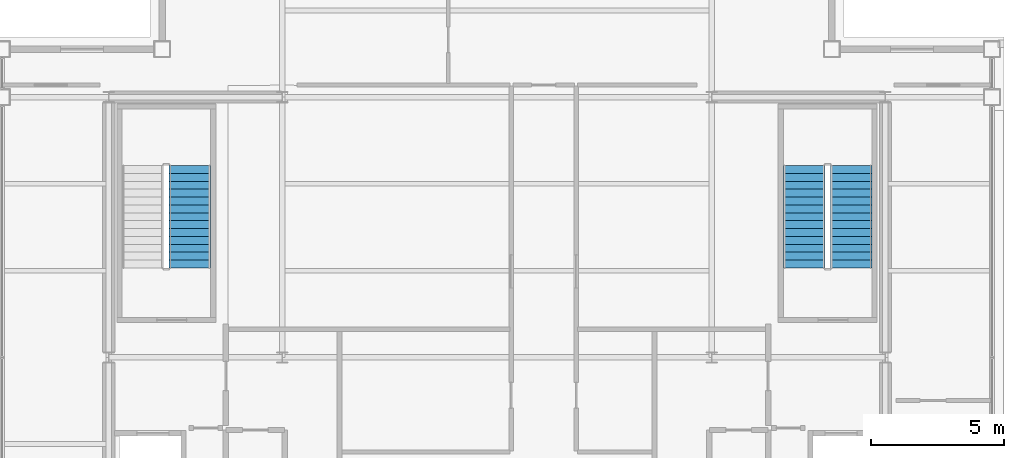
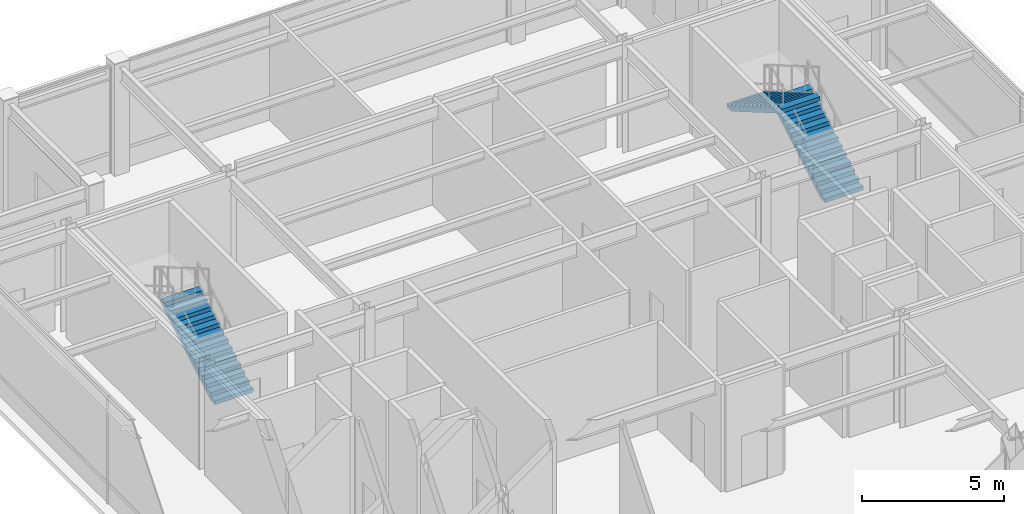
# One storey, part 20 of 21: 3 stair flights, 2 elements without a shape of their own.
"""IFC4 building model written with IfcOpenShell, lengths in metres."""

from ifc_helpers import new_model, si_unit, direction, frame, origin, place, context, subcontext, project, spatial, polyline, outline, extrude, material, type_object, element, aggregate, save


model = new_model("IFC4")

# Units and contexts
model_context = context("Model", 3, precision=1e-05, world=origin(), true_north=direction((0.0, 1.0)))
body_context = subcontext(model_context, "Body", "Model", "MODEL_VIEW")
ifc_project = project(units=[si_unit("LENGTHUNIT", "METRE"), si_unit("AREAUNIT", "SQUARE_METRE"), si_unit("VOLUMEUNIT", "CUBIC_METRE"), si_unit("PLANEANGLEUNIT", "RADIAN"), si_unit("MASSUNIT", "GRAM", prefix="KILO")], contexts=[model_context])

# Site, building, storey
site_placement = place(None, origin())
site = spatial("IfcSite", under=ifc_project, at=site_placement, CompositionType="ELEMENT")
building_placement = place(site_placement, origin())
building = spatial("IfcBuilding", under=site, at=building_placement, Name="Brelmoor Portico Tower", CompositionType="ELEMENT")
storey_placement = place(building_placement, frame((0.0, 0.0, 284.39990234375)))
storey = spatial("IfcBuildingStorey", under=building, at=storey_placement, Name="L75", CompositionType="ELEMENT", Elevation=284.39990234375)

# Stair, stair flight
ifc_material = material(Name="Concrete C40", Category="concrete")
stair_type_1 = type_object("IfcStairType", Name="ST-CORE-W", PredefinedType="HALF_TURN_STAIR", material=ifc_material)
stair_1_placement = place(storey_placement, origin())
stair_1 = element("IfcStair", 1, at=stair_1_placement, inside=storey, type_object=stair_type_1, Name="L75 Protected Core Exit Stair ST-W", PredefinedType="HALF_TURN_STAIR")
stair_flight_type = type_object("IfcStairFlightType", Name="SF-CORE-1850", PredefinedType="STRAIGHT", material=ifc_material)
stair_flight_1_placement = place(storey_placement, frame((-11.510009765625, 3.35009765625, 0.0), z_axis=(0.0, 0.0, 1.0), x_axis=(0.0, 1.0, 0.0)))
stair_flight_1 = element("IfcStairFlight", 2, at=stair_flight_1_placement, type_object=stair_flight_type, Name="ST-W flight 1", NumberOfRisers=14, NumberOfTreads=13, PredefinedType="STRAIGHT", RiserHeight=0.171428571, TreadLength=0.295, context=body_context, shape_type="SweptSolid", body=[
    extrude(outline(polyline([(0.0, 0.0), (0.0, 0.17138671875), (0.294921875, 0.17138671875), (0.294921875, 0.3427734375), (0.590087890625, 0.3427734375), (0.590087890625, 0.514404296875), (0.885009765625, 0.514404296875), (0.885009765625, 0.685791015625), (1.179931640625, 0.685791015625), (1.179931640625, 0.857177734375), (1.47509765625, 0.857177734375), (1.47509765625, 1.028564453125), (1.77001953125, 1.028564453125), (1.77001953125, 1.199951171875), (2.06494140625, 1.199951171875), (2.06494140625, 1.371337890625), (2.360107421875, 1.371337890625), (2.360107421875, 1.54296875), (2.655029296875, 1.54296875), (2.655029296875, 1.71435546875), (2.949951171875, 1.71435546875), (2.949951171875, 1.8857421875), (3.2451171875, 1.8857421875), (3.2451171875, 2.05712890625), (3.5400390625, 2.05712890625), (3.5400390625, 2.228515625), (3.8349609375, 2.228515625), (3.8349609375, 2.39990234375), (3.8349609375, 2.05517578125), (0.29833984375, 0.0), (0.0, 0.0)])), frame((0.0, 0.780029296875, 0.0), z_axis=(0.0, -1.0, 0.0), x_axis=(1.0, 0.0, 0.0)), (0.0, 0.0, 1.0), 1.56005859375),
])
aggregate(stair_1, [stair_flight_1])

# Stair, stair flights
stair_type_2 = type_object("IfcStairType", Name="ST-CORE-E", PredefinedType="HALF_TURN_STAIR", material=ifc_material)
stair_2_placement = place(storey_placement, origin())
stair_2 = element("IfcStair", 3, at=stair_2_placement, inside=storey, type_object=stair_type_2, Name="L75 Protected Core Exit Stair ST-E", PredefinedType="HALF_TURN_STAIR")
stair_flight_2_placement = place(storey_placement, frame((13.27001953125, 3.35009765625, 0.0), z_axis=(0.0, 0.0, 1.0), x_axis=(0.0, 1.0, 0.0)))
stair_flight_2 = element("IfcStairFlight", 4, at=stair_flight_2_placement, type_object=stair_flight_type, Name="ST-E flight 1", NumberOfRisers=14, NumberOfTreads=13, PredefinedType="STRAIGHT", RiserHeight=0.171428571, TreadLength=0.295, context=body_context, shape_type="SweptSolid", body=[
    extrude(outline(polyline([(0.0, 0.0), (0.0, 0.17138671875), (0.294921875, 0.17138671875), (0.294921875, 0.3427734375), (0.590087890625, 0.3427734375), (0.590087890625, 0.514404296875), (0.885009765625, 0.514404296875), (0.885009765625, 0.685791015625), (1.179931640625, 0.685791015625), (1.179931640625, 0.857177734375), (1.47509765625, 0.857177734375), (1.47509765625, 1.028564453125), (1.77001953125, 1.028564453125), (1.77001953125, 1.199951171875), (2.06494140625, 1.199951171875), (2.06494140625, 1.371337890625), (2.360107421875, 1.371337890625), (2.360107421875, 1.54296875), (2.655029296875, 1.54296875), (2.655029296875, 1.71435546875), (2.949951171875, 1.71435546875), (2.949951171875, 1.8857421875), (3.2451171875, 1.8857421875), (3.2451171875, 2.05712890625), (3.5400390625, 2.05712890625), (3.5400390625, 2.228515625), (3.8349609375, 2.228515625), (3.8349609375, 2.39990234375), (3.8349609375, 2.05517578125), (0.29833984375, 0.0), (0.0, 0.0)])), frame((0.0, 0.780029296875, 0.0), z_axis=(0.0, -1.0, 0.0), x_axis=(1.0, 0.0, 0.0)), (0.0, 0.0, 1.0), 1.56005859375),
])
stair_flight_3_placement = place(storey_placement, frame((11.510009765625, 7.18505859375, 2.400146484375), z_axis=(0.0, 0.0, 1.0), x_axis=(0.0, -1.0, 0.0)))
stair_flight_3 = element("IfcStairFlight", 5, at=stair_flight_3_placement, type_object=stair_flight_type, Name="ST-E flight 2", NumberOfRisers=14, NumberOfTreads=13, PredefinedType="STRAIGHT", RiserHeight=0.171428571, TreadLength=0.295, context=body_context, shape_type="SweptSolid", body=[
    extrude(outline(polyline([(0.0, 0.0), (0.0, 0.17138671875), (0.294921875, 0.17138671875), (0.294921875, 0.3427734375), (0.590087890625, 0.3427734375), (0.590087890625, 0.514404296875), (0.885009765625, 0.514404296875), (0.885009765625, 0.685791015625), (1.179931640625, 0.685791015625), (1.179931640625, 0.857177734375), (1.47509765625, 0.857177734375), (1.47509765625, 1.028564453125), (1.77001953125, 1.028564453125), (1.77001953125, 1.199951171875), (2.06494140625, 1.199951171875), (2.06494140625, 1.371337890625), (2.360107421875, 1.371337890625), (2.360107421875, 1.54296875), (2.655029296875, 1.54296875), (2.655029296875, 1.71435546875), (2.949951171875, 1.71435546875), (2.949951171875, 1.8857421875), (3.2451171875, 1.8857421875), (3.2451171875, 2.05712890625), (3.5400390625, 2.05712890625), (3.5400390625, 2.228515625), (3.8349609375, 2.228515625), (3.8349609375, 2.39990234375), (3.8349609375, 2.05517578125), (0.29833984375, 0.0), (0.0, 0.0)])), frame((0.0, 0.780029296875, 0.0), z_axis=(0.0, -1.0, 0.0), x_axis=(1.0, 0.0, 0.0)), (0.0, 0.0, 1.0), 1.56005859375),
])
aggregate(stair_2, [stair_flight_2, stair_flight_3])

save(model, "model.ifc")
